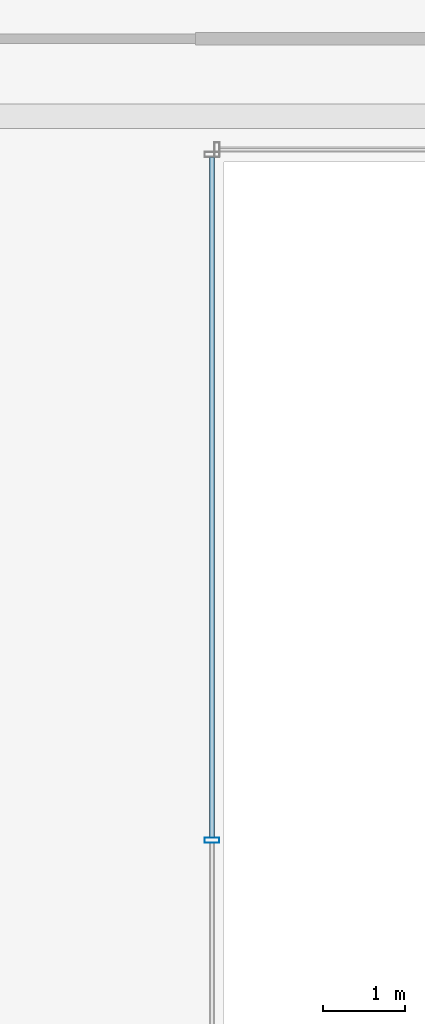
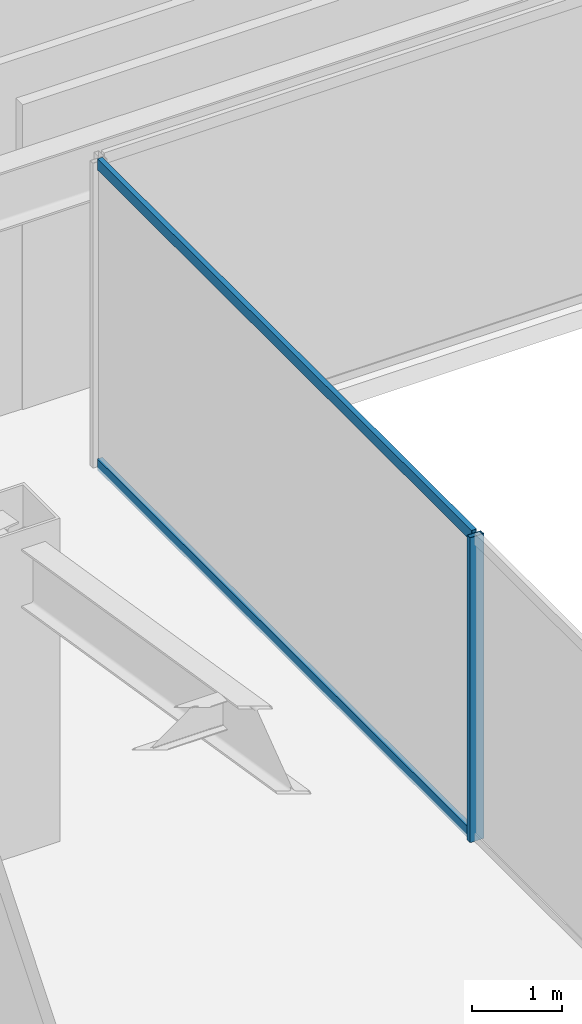
# One storey, part 14 of 47: 3 members, 1 element without a shape of its own.
"""IFC4 building model written with IfcOpenShell, lengths in metres."""

from ifc_helpers import new_model, si_unit, direction, frame, origin, origin_2d, place, context, subcontext, project, spatial, hollow_rectangle, extrude, material, material_profile, profile_set, type_object, element, aggregate, save


model = new_model("IFC4")

# Units and contexts
model_context = context("Model", 3, precision=1e-05, world=origin(), true_north=direction((0.0, 1.0)))
body_context = subcontext(model_context, "Body", "Model", "MODEL_VIEW")
ifc_project = project(units=[si_unit("LENGTHUNIT", "METRE"), si_unit("AREAUNIT", "SQUARE_METRE"), si_unit("VOLUMEUNIT", "CUBIC_METRE"), si_unit("PLANEANGLEUNIT", "RADIAN"), si_unit("MASSUNIT", "GRAM", prefix="KILO")], contexts=[model_context])

# Site, building, storey
site_placement = place(None, origin())
site = spatial("IfcSite", under=ifc_project, at=site_placement, CompositionType="ELEMENT")
building_placement = place(site_placement, origin())
building = spatial("IfcBuilding", under=site, at=building_placement, Name="Saevonmaru Cultural Tower", CompositionType="ELEMENT")
storey_placement = place(building_placement, frame((0.0, 0.0, 92.800048828125)))
storey = spatial("IfcBuildingStorey", under=building, at=storey_placement, Name="L19", CompositionType="ELEMENT", Elevation=92.800048828125)

# Curtain wall, members
ifc_material = material(Name="Satin Bronze Anodised Aluminium", Category="aluminium")
curtain_wall_type = type_object("IfcCurtainWallType", Name="CW-ATR-GLZ", PredefinedType="NOTDEFINED", material=ifc_material)
curtain_wall_placement = place(storey_placement, origin())
curtain_wall = element("IfcCurtainWall", 1, at=curtain_wall_placement, inside=storey, type_object=curtain_wall_type, Name="L19 Vertical Atrium Glazed Smoke Screen 4", PredefinedType="NOTDEFINED")
ifc_material_profile_1 = material_profile(ifc_material, hollow_rectangle(XDim=0.06494140625, YDim=0.179931640625, WallThickness=0.00390625, at=origin_2d()), Name="ALU-MULL-180x65x4")
ifc_profile_set_1 = profile_set([ifc_material_profile_1], Name="Satin Bronze Anodised Aluminium")
member_type_1 = type_object("IfcMemberType", Name="ML-CW-INT-180x65", PredefinedType="MULLION", material=ifc_profile_set_1)
member_1_placement = place(storey_placement, frame((24.050048828125, 29.320068359375, 0.0), z_axis=(0.0, 0.0, 1.0), x_axis=(0.0, -1.0, 0.0)))
member_1 = element("IfcMember", 2, at=member_1_placement, type_object=member_type_1, Name="CW-ATR-L19-4 mullion 2", PredefinedType="MULLION", context=body_context, shape_type="SweptSolid", body=[
    extrude(hollow_rectangle(XDim=0.06494140625, YDim=0.179931640625, WallThickness=0.00390625, at=origin_2d()), origin(), (0.0, 0.0, 1.0), 4.14990234375),
])
ifc_material_profile_2 = material_profile(ifc_material, hollow_rectangle(XDim=0.06494140625, YDim=0.14990234375, WallThickness=0.00390625, at=origin_2d()), Name="ALU-TRAN-150x65x4")
ifc_profile_set_2 = profile_set([ifc_material_profile_2], Name="Satin Bronze Anodised Aluminium")
member_type_2 = type_object("IfcMemberType", Name="TR-CW-INT-150x65", PredefinedType="USERDEFINED", material=ifc_profile_set_2)
member_2_placement = place(storey_placement, frame((24.050048828125, 37.697509765625, 0.032470703125), z_axis=(0.0, -1.0, 0.0), x_axis=(1.0, 0.0, 0.0)))
member_2 = element("IfcMember", 3, at=member_2_placement, type_object=member_type_2, Name="CW-ATR-L19-4 transom 1.1", ObjectType="TRANSOM", PredefinedType="USERDEFINED", context=body_context, shape_type="SweptSolid", body=[
    extrude(hollow_rectangle(XDim=0.06494140625, YDim=0.14990234375, WallThickness=0.00390625, at=origin_2d()), origin(), (0.0, 0.0, 1.0), 8.344970703125),
])
member_3_placement = place(storey_placement, frame((24.050048828125, 37.697509765625, 4.117431640625), z_axis=(0.0, -1.0, 0.0), x_axis=(1.0, 0.0, 0.0)))
member_3 = element("IfcMember", 4, at=member_3_placement, type_object=member_type_2, Name="CW-ATR-L19-4 transom 1.2", ObjectType="TRANSOM", PredefinedType="USERDEFINED", context=body_context, shape_type="SweptSolid", body=[
    extrude(hollow_rectangle(XDim=0.06494140625, YDim=0.14990234375, WallThickness=0.00390625, at=origin_2d()), origin(), (0.0, 0.0, 1.0), 8.344970703125),
])
aggregate(curtain_wall, [member_1, member_2, member_3])

save(model, "model.ifc")
